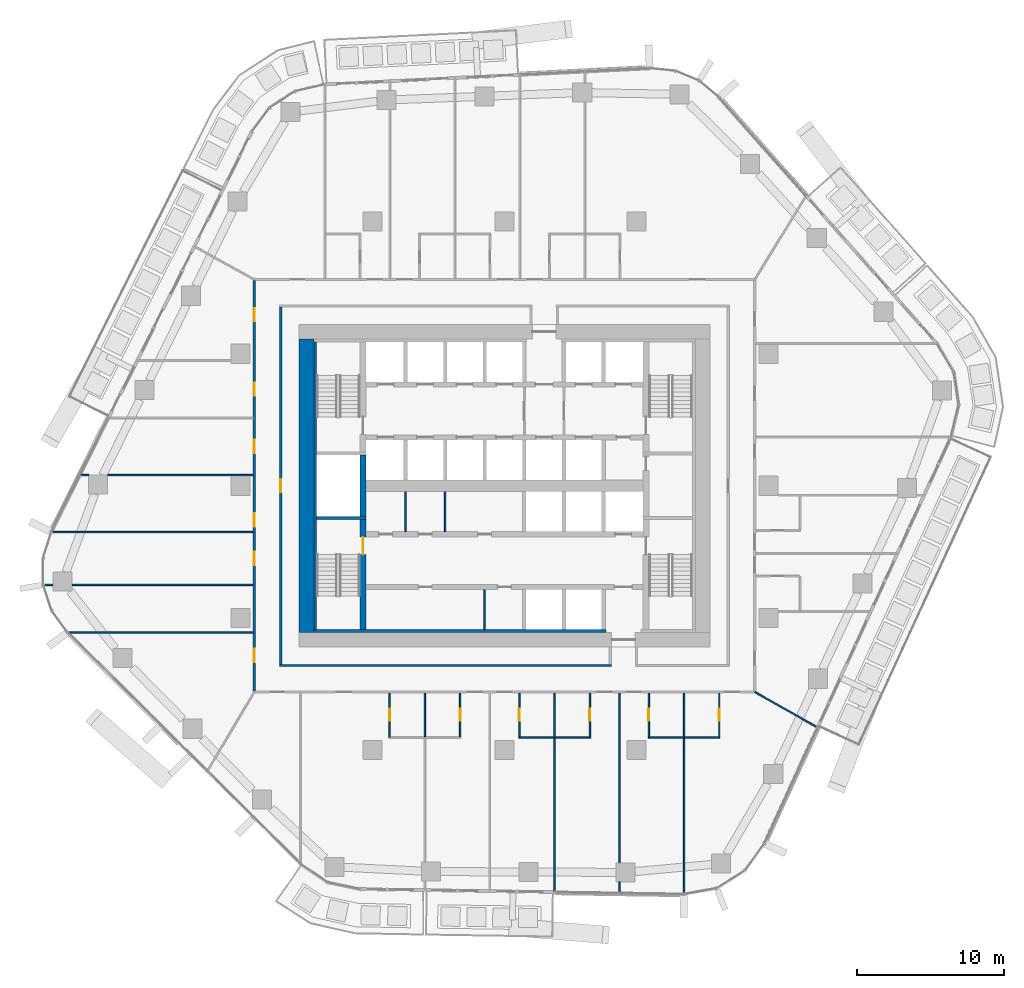
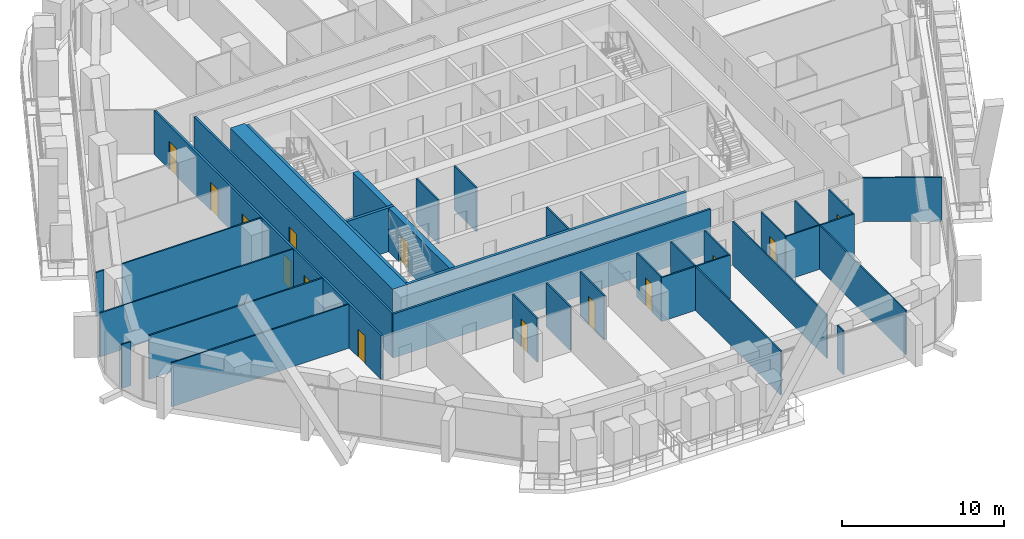
# One storey, part 12 of 25: 34 walls, 14 doors, 14 openings.
"""IFC4 building model written with IfcOpenShell, lengths in metres."""

import ifcopenshell
import ifcopenshell.guid

model = None  # the IFC model being written
_history = None  # IfcOwnerHistory: only IFC2X3 demands one
_inside = {}  # id of a spatial element -> (the spatial element, [elements in it])
_under = {}  # id of a project, library or spatial element -> (it, [spatial elements below it])
_declared = {}  # id of a project -> (the project, [libraries it declares])
_typed = {}  # id of a type object -> (the type object, [elements of that type])
_made_of = {}  # id of a material, layer set ... -> (it, [elements and type objects made of it])


def new_model(schema):
    """Start an empty IFC model of exactly this schema.

    Asked for "IFC4X3", IfcOpenShell would pick the latest addendum, in which some entities
    have other attributes; the version numbers below select the first issue.
    IFC2X3 requires an IfcOwnerHistory on every rooted entity: one is made here for all.
    """
    global model, _history
    if schema == "IFC4X3":
        model = ifcopenshell.file(schema_version=(4, 3, 0, 0))
    else:
        model = ifcopenshell.file(schema=schema)
    _inside.clear()
    _under.clear()
    _declared.clear()
    _typed.clear()
    _made_of.clear()
    _history = None
    if model.schema == "IFC2X3":
        org = make("IfcOrganization", Name="unknown")
        user = make(
            "IfcPersonAndOrganization",
            ThePerson=make("IfcPerson", FamilyName="unknown"),
            TheOrganization=org,
        )
        app = make(
            "IfcApplication",
            ApplicationDeveloper=org,
            Version="unknown",
            ApplicationFullName="unknown",
            ApplicationIdentifier="unknown",
        )
        _history = make(
            "IfcOwnerHistory",
            OwningUser=user,
            OwningApplication=app,
            ChangeAction="ADDED",
            CreationDate=0,
        )
    return model


def make(cls, **values):
    """One entity of the class cls with the attributes given. An attribute that is None is left unset."""
    return model.create_entity(
        cls, **{name: value for name, value in values.items() if value is not None}
    )


def rooted(cls, **values):
    """An entity with a GlobalId (a new one), such as an element, a storey or a relation."""
    return make(cls, GlobalId=ifcopenshell.guid.new(), OwnerHistory=_history, **values)


def si_unit(unit_type, name, prefix=None):
    """IfcSIUnit, for example si_unit("LENGTHUNIT", "METRE", prefix="MILLI")."""
    return make("IfcSIUnit", UnitType=unit_type, Prefix=prefix, Name=name)


def assignment(units):
    """IfcUnitAssignment: the units of a project."""
    return None if units is None else make("IfcUnitAssignment", Units=units)


def point(xyz):
    """IfcCartesianPoint."""
    return None if xyz is None else make("IfcCartesianPoint", Coordinates=xyz)


def direction(xyz):
    """IfcDirection."""
    return None if xyz is None else make("IfcDirection", DirectionRatios=xyz)


def frame(location, z_axis=None, x_axis=None):
    """IfcAxis2Placement3D, a coordinate frame: its origin and axes. An axis left out is left unset."""
    return make(
        "IfcAxis2Placement3D",
        Location=point(location),
        Axis=direction(z_axis),
        RefDirection=direction(x_axis),
    )


def frame_2d(location, x_axis=None):
    """IfcAxis2Placement2D, a coordinate frame in the plane: its origin and x axis."""
    return make(
        "IfcAxis2Placement2D", Location=point(location), RefDirection=direction(x_axis)
    )


def origin():
    """The frame at (0, 0, 0) with its axes left unset."""
    return frame((0.0, 0.0, 0.0))


def place(relative_to, where):
    """IfcLocalPlacement: puts the frame where relative to a parent placement (None: the world)."""
    return make(
        "IfcLocalPlacement", PlacementRelTo=relative_to, RelativePlacement=where
    )


def context(
    kind, dimensions, precision=None, world=None, true_north=None, identifier=None
):
    """IfcGeometricRepresentationContext, for example the 3D "Model" context."""
    return make(
        "IfcGeometricRepresentationContext",
        ContextIdentifier=identifier,
        ContextType=kind,
        CoordinateSpaceDimension=dimensions,
        Precision=precision,
        WorldCoordinateSystem=world,
        TrueNorth=true_north,
    )


def subcontext(parent, identifier, kind, view, scale=None):
    """IfcGeometricRepresentationSubContext, for example "Body" below "Model"."""
    return make(
        "IfcGeometricRepresentationSubContext",
        ContextIdentifier=identifier,
        ContextType=kind,
        ParentContext=parent,
        TargetScale=scale,
        TargetView=view,
    )


def project(units=None, contexts=None):
    """IfcProject with its units and contexts."""
    return rooted(
        "IfcProject",
        Name="project",
        RepresentationContexts=contexts,
        UnitsInContext=assignment(units),
    )


def spatial(cls, under=None, at=None, **own):
    """A site, building, storey or space (cls), placed at a placement, below another one or the project."""
    s = rooted(cls, ObjectPlacement=at, **own)
    if under is not None:
        _under.setdefault(under.id(), (under, []))[1].append(s)
    return s


def profile(cls, at=None, kind="AREA", **sizes):
    """A parametric profile (cls). Its sizes go by their IFC names, for example OverallWidth=200.0."""
    return make(cls, ProfileType=kind, Position=at, **sizes)


def rectangle(**sizes):
    """IfcRectangleProfileDef."""
    return profile("IfcRectangleProfileDef", **sizes)


def extrude(swept, where, along, depth):
    """IfcExtrudedAreaSolid: the profile swept, set in the frame where, extruded along a direction by depth."""
    return make(
        "IfcExtrudedAreaSolid",
        SweptArea=swept,
        Position=where,
        ExtrudedDirection=direction(along),
        Depth=depth,
    )


def shape(context_of_items, identifier, shape_type, items):
    """IfcShapeRepresentation: the items that make up one representation, for example the "Body"."""
    return make(
        "IfcShapeRepresentation",
        ContextOfItems=context_of_items,
        RepresentationIdentifier=identifier,
        RepresentationType=shape_type,
        Items=items,
    )


def material(Name=None, Category=None):
    """IfcMaterial."""
    return make("IfcMaterial", Name=Name, Category=Category)


def layer(
    of_material, thickness, ventilated=None, Name=None, Category=None, Priority=None
):
    """IfcMaterialLayer: one layer of a wall or slab, of a material (None: an air gap)."""
    return make(
        "IfcMaterialLayer",
        Material=of_material,
        LayerThickness=thickness,
        IsVentilated=ventilated,
        Name=Name,
        Category=Category,
        Priority=Priority,
    )


def layer_set(layers, Name=None):
    """IfcMaterialLayerSet."""
    return make("IfcMaterialLayerSet", MaterialLayers=layers, LayerSetName=Name)


def made_of(thing, what):
    """Note that an element or type object is made of a material, layer set ...; save() writes the relation."""
    if what is not None:
        _made_of.setdefault(what.id(), (what, []))[1].append(thing)
    return thing


def type_object(cls, material=None, **own):
    """A type object (cls), such as IfcWallType, which elements share."""
    return made_of(rooted(cls, **own), material)


def element(
    cls,
    number,
    at=None,
    inside=None,
    cuts=None,
    type_object=None,
    material=None,
    context=None,
    identifier="Body",
    shape_type=None,
    held_by="IfcProductDefinitionShape",
    body=None,
    shapes=None,
    **own,
):
    """One element of the class cls, such as IfcWall. Its Tag is "e" and its number.

    at: its placement. inside: the storey or other place that contains it. cuts: it is an
    opening in that element (IfcRelVoidsElement). A single representation is given by context,
    identifier, shape_type and body (its items); several are given by shapes. held_by: the class
    of the entity that holds the representations. save() writes the other relations.
    """
    e = rooted(cls, Tag="e%d" % number, ObjectPlacement=at, **own)
    if body is not None:
        shapes = [shape(context, identifier, shape_type, body)]
    if shapes is not None:
        e.Representation = make(held_by, Representations=shapes)
    if inside is not None:
        _inside.setdefault(inside.id(), (inside, []))[1].append(e)
    if cuts is not None:
        rooted(
            "IfcRelVoidsElement", RelatingBuildingElement=cuts, RelatedOpeningElement=e
        )
    if type_object is not None:
        _typed.setdefault(type_object.id(), (type_object, []))[1].append(e)
    return made_of(e, material)


def fill(opening, filler):
    """IfcRelFillsElement: the door or window that sits in an opening."""
    return rooted(
        "IfcRelFillsElement",
        RelatingOpeningElement=opening,
        RelatedBuildingElement=filler,
    )


def aggregate(whole, parts):
    """IfcRelAggregates: a whole, such as a stair, and the parts it consists of."""
    return rooted("IfcRelAggregates", RelatingObject=whole, RelatedObjects=parts)


def save(model, path):
    """Write the relations noted so far, then the file.

    IfcRelAggregates (storeys below a building ...), IfcRelContainedInSpatialStructure (elements
    in a storey), IfcRelDefinesByType, IfcRelAssociatesMaterial and IfcRelDeclares: one each for
    every whole, place, type object, material and project.
    """
    for whole, parts in _under.values():
        aggregate(whole, parts)
    for where, things in _inside.values():
        rooted(
            "IfcRelContainedInSpatialStructure",
            RelatedElements=things,
            RelatingStructure=where,
        )
    for kind, things in _typed.values():
        rooted("IfcRelDefinesByType", RelatedObjects=things, RelatingType=kind)
    for what, things in _made_of.values():
        rooted("IfcRelAssociatesMaterial", RelatedObjects=things, RelatingMaterial=what)
    for by, libraries in _declared.values():
        rooted("IfcRelDeclares", RelatingContext=by, RelatedDefinitions=libraries)
    model.write(path)


model = new_model("IFC4")

# Units and contexts
model_context = context("Model", 3, precision=1e-05, world=origin(), true_north=direction((0.0, 1.0)))
body_context = subcontext(model_context, "Body", "Model", "MODEL_VIEW")
ifc_project = project(units=[si_unit("LENGTHUNIT", "METRE"), si_unit("AREAUNIT", "SQUARE_METRE"), si_unit("VOLUMEUNIT", "CUBIC_METRE"), si_unit("PLANEANGLEUNIT", "RADIAN"), si_unit("MASSUNIT", "GRAM", prefix="KILO")], contexts=[model_context])

# Site, building, storey
site_placement = place(None, origin())
site = spatial("IfcSite", under=ifc_project, at=site_placement, CompositionType="ELEMENT")
building_placement = place(site_placement, origin())
building = spatial("IfcBuilding", under=site, at=building_placement, Name="Dongbaek Canopy Tower", CompositionType="ELEMENT")
storey_placement = place(building_placement, frame((0.0, 0.0, 102.60009765625)))
storey = spatial("IfcBuildingStorey", under=building, at=storey_placement, Name="L21", CompositionType="ELEMENT", Elevation=102.60009765625)

# Walls
ifc_material_1 = material(Name="Concrete C60/75", Category="concrete")
ifc_layer_1 = layer(ifc_material_1, 1.0)
ifc_layer_set_1 = layer_set([ifc_layer_1], Name="Core outer wall 1000 Concrete C60/75")
wall_type_1 = type_object("IfcWallType", Name="Core outer wall 1000 Concrete C60/75", PredefinedType="SHEAR", material=ifc_layer_set_1)
wall_1_placement = place(storey_placement, frame((-13.5, -10.0, 0.0), z_axis=(0.0, 0.0, 1.0), x_axis=(0.0, 1.0, 0.0)))
element("IfcWall", 1, at=wall_1_placement, inside=storey, type_object=wall_type_1, Name="Core wall", PredefinedType="SHEAR", context=body_context, shape_type="SweptSolid", body=[
    extrude(rectangle(XDim=20.0, YDim=1.0, at=frame_2d((10.0, 0.0))), origin(), (0.0, 0.0, 1.0), 3.2998046875),
])
ifc_material_2 = material(Name="Concrete C60/75", Category="concrete")
ifc_layer_2 = layer(ifc_material_2, 0.199951171875)
ifc_layer_set_2 = layer_set([ifc_layer_2], Name="Core wall lining 200 Concrete C60/75")
wall_type_2 = type_object("IfcWallType", Name="Core wall lining 200 Concrete C60/75", PredefinedType="SHEAR", material=ifc_layer_set_2)
wall_2_placement = place(storey_placement, frame((6.89990234375, -9.89990234375, 0.0), z_axis=(0.0, 0.0, 1.0), x_axis=(-1.0, 0.0, 0.0)))
element("IfcWall", 2, at=wall_2_placement, inside=storey, type_object=wall_type_2, Name="Core wall lining", PredefinedType="SHEAR", context=body_context, shape_type="SweptSolid", body=[
    extrude(rectangle(XDim=19.89990234375, YDim=0.199951171875, at=frame_2d((9.949951171875, 0.0))), origin(), (0.0, 0.0, 1.0), 3.2998046875),
])
wall_3_placement = place(storey_placement, frame((-12.89990234375, -9.800048828125, 0.0), z_axis=(0.0, 0.0, 1.0), x_axis=(0.0, 1.0, 0.0)))
element("IfcWall", 3, at=wall_3_placement, inside=storey, type_object=wall_type_2, Name="Core wall lining", PredefinedType="SHEAR", context=body_context, shape_type="SweptSolid", body=[
    extrude(rectangle(XDim=19.60009765625, YDim=0.199951171875, at=frame_2d((9.800048828125, 0.0))), origin(), (0.0, 0.0, 1.0), 3.2998046875),
])
ifc_material_3 = material(Name="Gypsum board partition, steel stud, 2 x 15 mm fire board", Category="steel")
ifc_layer_3 = layer(ifc_material_3, 0.14990234375)
ifc_layer_set_3 = layer_set([ifc_layer_3], Name="Fire-rated partition 150 gypsum board")
wall_type_3 = type_object("IfcWallType", Name="Fire-rated partition 150 gypsum board", PredefinedType="PARTITIONING", material=ifc_layer_set_3)
wall_4_placement = place(storey_placement, frame((-15.324951171875, -12.25, 0.0), z_axis=(0.0, 0.0, 1.0), x_axis=(1.0, 0.0, 0.0)))
element("IfcWall", 4, at=wall_4_placement, inside=storey, type_object=wall_type_3, Name="Corridor partition", PredefinedType="PARTITIONING", context=body_context, shape_type="SweptSolid", body=[
    extrude(rectangle(XDim=22.599853515625, YDim=0.14990234375, at=frame_2d((11.2998046875, 0.0))), origin(), (0.0, 0.0, 1.0), 3.2998046875),
])

# Wall, opening, door
wall_5_placement = place(storey_placement, frame((-15.25, 12.175048828125, 0.0), z_axis=(0.0, 0.0, 1.0), x_axis=(0.0, -1.0, 0.0)))
wall_5 = element("IfcWall", 5, at=wall_5_placement, inside=storey, type_object=wall_type_3, Name="Corridor partition", PredefinedType="PARTITIONING", context=body_context, shape_type="SweptSolid", body=[
    extrude(rectangle(XDim=24.35009765625, YDim=0.14990234375, at=frame_2d((12.175048828125, 0.0))), origin(), (0.0, 0.0, 1.0), 3.2998046875),
])
opening_1_placement = place(wall_5_placement, frame((11.72509765625, 0.0, 0.0)))
opening_1 = element("IfcOpeningElement", 6, at=opening_1_placement, cuts=wall_5, Name="Opening L21-D039", PredefinedType="OPENING", context=body_context, shape_type="SweptSolid", body=[
    extrude(rectangle(XDim=0.89990234375, YDim=2.10009765625, at=frame_2d((0.449951171875, 1.050048828125))), frame((0.0, 0.0849609375, 0.0), z_axis=(0.0, -1.0, 0.0), x_axis=(1.0, 0.0, 0.0)), (0.0, 0.0, 1.0), 0.169921875),
])
ifc_material_4 = material(Name="Timber veneered door leaf", Category="wood")
door_type_1 = type_object("IfcDoorType", Name="Room door 900 x 2100", OperationType="SINGLE_SWING_LEFT", PredefinedType="DOOR", material=ifc_material_4)
door_1_placement = place(opening_1_placement, origin())
door_1 = element("IfcDoor", 7, at=door_1_placement, inside=storey, type_object=door_type_1, Name="Door L21-D039", OperationType="SINGLE_SWING_RIGHT", OverallHeight=2.10009765625, OverallWidth=0.89990234375, PredefinedType="DOOR", context=body_context, shape_type="SweptSolid", body=[
    extrude(rectangle(XDim=0.89990234375, YDim=2.10009765625, at=frame_2d((0.449951171875, 1.050048828125))), frame((0.0, 0.02490234375, 0.0), z_axis=(0.0, -1.0, 0.0), x_axis=(1.0, 0.0, 0.0)), (0.0, 0.0, 1.0), 0.050048828125),
])
fill(opening_1, door_1)

# Wall, openings, doors
wall_6_placement = place(storey_placement, frame((-17.050048828125, -13.97509765625, 0.0), z_axis=(0.0, 0.0, 1.0), x_axis=(0.0, 1.0, 0.0)))
wall_6 = element("IfcWall", 8, at=wall_6_placement, inside=storey, type_object=wall_type_3, Name="Corridor partition", PredefinedType="PARTITIONING", context=body_context, shape_type="SweptSolid", body=[
    extrude(rectangle(XDim=27.9501953125, YDim=0.14990234375, at=frame_2d((13.97509765625, 0.0))), origin(), (0.0, 0.0, 1.0), 3.2998046875),
])
opening_2_placement = place(wall_6_placement, frame((11.194580078125, 0.0, 0.0)))
opening_2 = element("IfcOpeningElement", 9, at=opening_2_placement, cuts=wall_6, Name="Opening L21-D001", PredefinedType="OPENING", context=body_context, shape_type="SweptSolid", body=[
    extrude(rectangle(XDim=0.89990234375, YDim=2.10009765625, at=frame_2d((0.449951171875, 1.050048828125))), frame((0.0, 0.0849609375, 0.0), z_axis=(0.0, -1.0, 0.0), x_axis=(1.0, 0.0, 0.0)), (0.0, 0.0, 1.0), 0.169921875),
])
opening_3_placement = place(wall_6_placement, frame((8.56982421875, 0.0, 0.0)))
opening_3 = element("IfcOpeningElement", 10, at=opening_3_placement, cuts=wall_6, Name="Opening L21-D002", PredefinedType="OPENING", context=body_context, shape_type="SweptSolid", body=[
    extrude(rectangle(XDim=0.89990234375, YDim=2.10009765625, at=frame_2d((0.449951171875, 1.050048828125))), frame((0.0, 0.0849609375, 0.0), z_axis=(0.0, -1.0, 0.0), x_axis=(1.0, 0.0, 0.0)), (0.0, 0.0, 1.0), 0.169921875),
])
opening_4_placement = place(wall_6_placement, frame((1.9560546875, 0.0, 0.0)))
opening_4 = element("IfcOpeningElement", 11, at=opening_4_placement, cuts=wall_6, Name="Opening L21-D003", PredefinedType="OPENING", context=body_context, shape_type="SweptSolid", body=[
    extrude(rectangle(XDim=0.89990234375, YDim=2.10009765625, at=frame_2d((0.449951171875, 1.050048828125))), frame((0.0, 0.0849609375, 0.0), z_axis=(0.0, -1.0, 0.0), x_axis=(1.0, 0.0, 0.0)), (0.0, 0.0, 1.0), 0.169921875),
])
opening_5_placement = place(wall_6_placement, frame((25.180908203125, 0.0, 0.0)))
opening_5 = element("IfcOpeningElement", 12, at=opening_5_placement, cuts=wall_6, Name="Opening L21-D036", PredefinedType="OPENING", context=body_context, shape_type="SweptSolid", body=[
    extrude(rectangle(XDim=0.89990234375, YDim=2.10009765625, at=frame_2d((0.449951171875, 1.050048828125))), frame((0.0, 0.0849609375, 0.0), z_axis=(0.0, -1.0, 0.0), x_axis=(1.0, 0.0, 0.0)), (0.0, 0.0, 1.0), 0.169921875),
])
opening_6_placement = place(wall_6_placement, frame((20.100830078125, 0.0, 0.0)))
opening_6 = element("IfcOpeningElement", 13, at=opening_6_placement, cuts=wall_6, Name="Opening L21-D037", PredefinedType="OPENING", context=body_context, shape_type="SweptSolid", body=[
    extrude(rectangle(XDim=0.89990234375, YDim=2.10009765625, at=frame_2d((0.449951171875, 1.050048828125))), frame((0.0, 0.0849609375, 0.0), z_axis=(0.0, -1.0, 0.0), x_axis=(1.0, 0.0, 0.0)), (0.0, 0.0, 1.0), 0.169921875),
])
opening_7_placement = place(wall_6_placement, frame((16.205810546875, 0.0, 0.0)))
opening_7 = element("IfcOpeningElement", 14, at=opening_7_placement, cuts=wall_6, Name="Opening L21-D038", PredefinedType="OPENING", context=body_context, shape_type="SweptSolid", body=[
    extrude(rectangle(XDim=0.89990234375, YDim=2.10009765625, at=frame_2d((0.449951171875, 1.050048828125))), frame((0.0, 0.0849609375, 0.0), z_axis=(0.0, -1.0, 0.0), x_axis=(1.0, 0.0, 0.0)), (0.0, 0.0, 1.0), 0.169921875),
])
door_2_placement = place(opening_2_placement, origin())
door_2 = element("IfcDoor", 15, at=door_2_placement, inside=storey, type_object=door_type_1, Name="Door L21-D001", OperationType="SINGLE_SWING_RIGHT", OverallHeight=2.10009765625, OverallWidth=0.89990234375, PredefinedType="DOOR", context=body_context, shape_type="SweptSolid", body=[
    extrude(rectangle(XDim=0.89990234375, YDim=2.10009765625, at=frame_2d((0.449951171875, 1.050048828125))), frame((0.0, 0.02490234375, 0.0), z_axis=(0.0, -1.0, 0.0), x_axis=(1.0, 0.0, 0.0)), (0.0, 0.0, 1.0), 0.050048828125),
])
fill(opening_2, door_2)
door_3_placement = place(opening_3_placement, origin())
door_3 = element("IfcDoor", 16, at=door_3_placement, inside=storey, type_object=door_type_1, Name="Door L21-D002", OperationType="SINGLE_SWING_LEFT", OverallHeight=2.10009765625, OverallWidth=0.89990234375, PredefinedType="DOOR", context=body_context, shape_type="SweptSolid", body=[
    extrude(rectangle(XDim=0.89990234375, YDim=2.10009765625, at=frame_2d((0.449951171875, 1.050048828125))), frame((0.0, 0.02490234375, 0.0), z_axis=(0.0, -1.0, 0.0), x_axis=(1.0, 0.0, 0.0)), (0.0, 0.0, 1.0), 0.050048828125),
])
fill(opening_3, door_3)
door_4_placement = place(opening_4_placement, origin())
door_4 = element("IfcDoor", 17, at=door_4_placement, inside=storey, type_object=door_type_1, Name="Door L21-D003", OperationType="SINGLE_SWING_LEFT", OverallHeight=2.10009765625, OverallWidth=0.89990234375, PredefinedType="DOOR", context=body_context, shape_type="SweptSolid", body=[
    extrude(rectangle(XDim=0.89990234375, YDim=2.10009765625, at=frame_2d((0.449951171875, 1.050048828125))), frame((0.0, 0.02490234375, 0.0), z_axis=(0.0, -1.0, 0.0), x_axis=(1.0, 0.0, 0.0)), (0.0, 0.0, 1.0), 0.050048828125),
])
fill(opening_4, door_4)
door_5_placement = place(opening_5_placement, origin())
door_5 = element("IfcDoor", 18, at=door_5_placement, inside=storey, type_object=door_type_1, Name="Door L21-D036", OperationType="SINGLE_SWING_LEFT", OverallHeight=2.10009765625, OverallWidth=0.89990234375, PredefinedType="DOOR", context=body_context, shape_type="SweptSolid", body=[
    extrude(rectangle(XDim=0.89990234375, YDim=2.10009765625, at=frame_2d((0.449951171875, 1.050048828125))), frame((0.0, 0.02490234375, 0.0), z_axis=(0.0, -1.0, 0.0), x_axis=(1.0, 0.0, 0.0)), (0.0, 0.0, 1.0), 0.050048828125),
])
fill(opening_5, door_5)
door_6_placement = place(opening_6_placement, origin())
door_6 = element("IfcDoor", 19, at=door_6_placement, inside=storey, type_object=door_type_1, Name="Door L21-D037", OperationType="SINGLE_SWING_RIGHT", OverallHeight=2.10009765625, OverallWidth=0.89990234375, PredefinedType="DOOR", context=body_context, shape_type="SweptSolid", body=[
    extrude(rectangle(XDim=0.89990234375, YDim=2.10009765625, at=frame_2d((0.449951171875, 1.050048828125))), frame((0.0, 0.02490234375, 0.0), z_axis=(0.0, -1.0, 0.0), x_axis=(1.0, 0.0, 0.0)), (0.0, 0.0, 1.0), 0.050048828125),
])
fill(opening_6, door_6)
door_7_placement = place(opening_7_placement, origin())
door_7 = element("IfcDoor", 20, at=door_7_placement, inside=storey, type_object=door_type_1, Name="Door L21-D038", OperationType="SINGLE_SWING_LEFT", OverallHeight=2.10009765625, OverallWidth=0.89990234375, PredefinedType="DOOR", context=body_context, shape_type="SweptSolid", body=[
    extrude(rectangle(XDim=0.89990234375, YDim=2.10009765625, at=frame_2d((0.449951171875, 1.050048828125))), frame((0.0, 0.02490234375, 0.0), z_axis=(0.0, -1.0, 0.0), x_axis=(1.0, 0.0, 0.0)), (0.0, 0.0, 1.0), 0.050048828125),
])
fill(opening_7, door_7)

# Walls
ifc_material_5 = material(Name="Gypsum board partition, steel stud, 2 x 12.5 mm board", Category="steel")
ifc_layer_4 = layer(ifc_material_5, 0.10009765625)
ifc_layer_set_4 = layer_set([ifc_layer_4], Name="Partition 100 gypsum board")
wall_type_4 = type_object("IfcWallType", Name="Partition 100 gypsum board", PredefinedType="PARTITIONING", material=ifc_layer_set_4)
for number, where, z_axis, x_axis, name in (
    (21, (0.9599609375, -17.14990234375, 0.0), (0.0, 0.0, 1.0), (1.0, 0.0, 0.0), "Partition"),
    (22, (9.783935546875, -17.14990234375, 0.0), (0.0, 0.0, 1.0), (1.0, 0.0, 0.0), "Partition"),
):
    element("IfcWall", number, at=place(storey_placement, frame(where, z_axis=z_axis, x_axis=x_axis)), inside=storey, type_object=wall_type_4, Name=name, PredefinedType="PARTITIONING", context=body_context, shape_type="SweptSolid", body=[
        extrude(rectangle(XDim=4.89990234375, YDim=0.10009765625, at=frame_2d((2.449951171875, 0.0))), origin(), (0.0, 0.0, 1.0), 3.2998046875),
    ])
wall_7_placement = place(storey_placement, frame((-29.74169921875, -9.993896484375, 0.0), z_axis=(0.0, 0.0, 1.0), x_axis=(1.0, 0.0, 0.0)))
element("IfcWall", 23, at=wall_7_placement, inside=storey, type_object=wall_type_4, Name="Partition", PredefinedType="PARTITIONING", context=body_context, shape_type="SweptSolid", body=[
    extrude(rectangle(XDim=12.61669921875, YDim=0.10009765625, at=frame_2d((6.308349609375, 0.0))), origin(), (0.0, 0.0, 1.0), 3.2998046875),
])
wall_8_placement = place(storey_placement, frame((-31.416259765625, -6.7548828125, 0.0), z_axis=(0.0, 0.0, 1.0), x_axis=(1.0, 0.0, 0.0)))
element("IfcWall", 24, at=wall_8_placement, inside=storey, type_object=wall_type_4, Name="Partition", PredefinedType="PARTITIONING", context=body_context, shape_type="SweptSolid", body=[
    extrude(rectangle(XDim=0.641357421875, YDim=0.10009765625, at=frame_2d((0.32080078125, 0.0))), origin(), (0.0, 0.0, 1.0), 3.2998046875),
])
wall_9_placement = place(storey_placement, frame((-29.47509765625, -6.7548828125, 0.0), z_axis=(0.0, 0.0, 1.0), x_axis=(1.0, 0.0, 0.0)))
element("IfcWall", 25, at=wall_9_placement, inside=storey, type_object=wall_type_4, Name="Partition", PredefinedType="PARTITIONING", context=body_context, shape_type="SweptSolid", body=[
    extrude(rectangle(XDim=12.35009765625, YDim=0.10009765625, at=frame_2d((6.175048828125, 0.0))), origin(), (0.0, 0.0, 1.0), 3.2998046875),
])
wall_10_placement = place(storey_placement, frame((-30.86474609375, -3.155029296875, 0.0), z_axis=(0.0, 0.0, 1.0), x_axis=(1.0, 0.0, 0.0)))
element("IfcWall", 26, at=wall_10_placement, inside=storey, type_object=wall_type_4, Name="Partition", PredefinedType="PARTITIONING", context=body_context, shape_type="SweptSolid", body=[
    extrude(rectangle(XDim=13.73974609375, YDim=0.10009765625, at=frame_2d((6.869873046875, 0.0))), origin(), (0.0, 0.0, 1.0), 3.2998046875),
])
wall_11_placement = place(storey_placement, frame((-28.91650390625, 0.73291015625, 0.0), z_axis=(0.0, 0.0, 1.0), x_axis=(1.0, 0.0, 0.0)))
element("IfcWall", 27, at=wall_11_placement, inside=storey, type_object=wall_type_4, Name="Partition", PredefinedType="PARTITIONING", context=body_context, shape_type="SweptSolid", body=[
    extrude(rectangle(XDim=0.573486328125, YDim=0.10009765625, at=frame_2d((0.28662109375, 0.0))), origin(), (0.0, 0.0, 1.0), 3.2998046875),
])
wall_12_placement = place(storey_placement, frame((-27.04296875, 0.73291015625, 0.0), z_axis=(0.0, 0.0, 1.0), x_axis=(1.0, 0.0, 0.0)))
element("IfcWall", 28, at=wall_12_placement, inside=storey, type_object=wall_type_4, Name="Partition", PredefinedType="PARTITIONING", context=body_context, shape_type="SweptSolid", body=[
    extrude(rectangle(XDim=9.91796875, YDim=0.10009765625, at=frame_2d((4.958984375, 0.0))), origin(), (0.0, 0.0, 1.0), 3.2998046875),
])

# Wall, opening, door
wall_13_placement = place(storey_placement, frame((14.634033203125, -17.14990234375, 0.0), z_axis=(0.0, 0.0, 1.0), x_axis=(0.0, 1.0, 0.0)))
wall_13 = element("IfcWall", 29, at=wall_13_placement, inside=storey, type_object=wall_type_4, Name="Partition", PredefinedType="PARTITIONING", context=body_context, shape_type="SweptSolid", body=[
    extrude(rectangle(XDim=3.02490234375, YDim=0.10009765625, at=frame_2d((1.512451171875, 0.0))), origin(), (0.0, 0.0, 1.0), 3.2998046875),
])
opening_8_placement = place(wall_13_placement, frame((1.14990234375, 0.0, 0.0)))
opening_8 = element("IfcOpeningElement", 30, at=opening_8_placement, cuts=wall_13, Name="Opening L21-D015", PredefinedType="OPENING", context=body_context, shape_type="SweptSolid", body=[
    extrude(rectangle(XDim=0.800048828125, YDim=2.10009765625, at=frame_2d((0.39990234375, 1.050048828125))), frame((0.0, 0.06005859375, 0.0), z_axis=(0.0, -1.0, 0.0), x_axis=(1.0, 0.0, 0.0)), (0.0, 0.0, 1.0), 0.1201171875),
])
ifc_material_6 = material(Name="Timber veneered door leaf", Category="wood")
door_type_2 = type_object("IfcDoorType", Name="En-suite door 800 x 2100", OperationType="SINGLE_SWING_LEFT", PredefinedType="DOOR", material=ifc_material_6)
door_8_placement = place(opening_8_placement, origin())
door_8 = element("IfcDoor", 31, at=door_8_placement, inside=storey, type_object=door_type_2, Name="Door L21-D015", OperationType="SINGLE_SWING_LEFT", OverallHeight=2.10009765625, OverallWidth=0.800048828125, PredefinedType="DOOR", context=body_context, shape_type="SweptSolid", body=[
    extrude(rectangle(XDim=0.800048828125, YDim=2.10009765625, at=frame_2d((0.39990234375, 1.050048828125))), frame((0.0, 0.02490234375, 0.0), z_axis=(0.0, -1.0, 0.0), x_axis=(1.0, 0.0, 0.0)), (0.0, 0.0, 1.0), 0.050048828125),
])
fill(opening_8, door_8)

# Walls
wall_14_placement = place(storey_placement, frame((12.23388671875, -27.80078125, 0.0), z_axis=(0.0, 0.0, 1.0), x_axis=(0.0, 1.0, 0.0)))
element("IfcWall", 32, at=wall_14_placement, inside=storey, type_object=wall_type_4, Name="Partition", PredefinedType="PARTITIONING", context=body_context, shape_type="SweptSolid", body=[
    extrude(rectangle(XDim=10.600830078125, YDim=0.10009765625, at=frame_2d((5.30029296875, 0.0))), origin(), (0.0, 0.0, 1.0), 3.2998046875),
])
wall_15_placement = place(storey_placement, frame((12.23388671875, -17.10009765625, 0.0), z_axis=(0.0, 0.0, 1.0), x_axis=(0.0, 1.0, 0.0)))
element("IfcWall", 33, at=wall_15_placement, inside=storey, type_object=wall_type_4, Name="Partition", PredefinedType="PARTITIONING", context=body_context, shape_type="SweptSolid", body=[
    extrude(rectangle(XDim=2.97509765625, YDim=0.10009765625, at=frame_2d((1.487548828125, 0.0))), origin(), (0.0, 0.0, 1.0), 3.2998046875),
])

# Wall, opening, door
wall_16_placement = place(storey_placement, frame((9.833984375, -14.125, 0.0), z_axis=(0.0, 0.0, 1.0), x_axis=(0.0, -1.0, 0.0)))
wall_16 = element("IfcWall", 34, at=wall_16_placement, inside=storey, type_object=wall_type_4, Name="Partition", PredefinedType="PARTITIONING", context=body_context, shape_type="SweptSolid", body=[
    extrude(rectangle(XDim=2.97509765625, YDim=0.10009765625, at=frame_2d((1.487548828125, 0.0))), origin(), (0.0, 0.0, 1.0), 3.2998046875),
])
opening_9_placement = place(wall_16_placement, frame((1.074951171875, 0.0, 0.0)))
opening_9 = element("IfcOpeningElement", 35, at=opening_9_placement, cuts=wall_16, Name="Opening L21-D013", PredefinedType="OPENING", context=body_context, shape_type="SweptSolid", body=[
    extrude(rectangle(XDim=0.800048828125, YDim=2.10009765625, at=frame_2d((0.39990234375, 1.050048828125))), frame((0.0, 0.06005859375, 0.0), z_axis=(0.0, -1.0, 0.0), x_axis=(1.0, 0.0, 0.0)), (0.0, 0.0, 1.0), 0.1201171875),
])
door_9_placement = place(opening_9_placement, origin())
door_9 = element("IfcDoor", 36, at=door_9_placement, inside=storey, type_object=door_type_2, Name="Door L21-D013", OperationType="SINGLE_SWING_RIGHT", OverallHeight=2.10009765625, OverallWidth=0.800048828125, PredefinedType="DOOR", context=body_context, shape_type="SweptSolid", body=[
    extrude(rectangle(XDim=0.800048828125, YDim=2.10009765625, at=frame_2d((0.39990234375, 1.050048828125))), frame((0.0, 0.02490234375, 0.0), z_axis=(0.0, -1.0, 0.0), x_axis=(1.0, 0.0, 0.0)), (0.0, 0.0, 1.0), 0.050048828125),
])
fill(opening_9, door_9)

# Walls
wall_17_placement = place(storey_placement, frame((7.826904296875, -27.733154296875, 0.0), z_axis=(0.0, 0.0, 1.0), x_axis=(0.0, 1.0, 0.0)))
element("IfcWall", 37, at=wall_17_placement, inside=storey, type_object=wall_type_4, Name="Partition", PredefinedType="PARTITIONING", context=body_context, shape_type="SweptSolid", body=[
    extrude(rectangle(XDim=0.734130859375, YDim=0.10009765625, at=frame_2d((0.3671875, 0.0))), origin(), (0.0, 0.0, 1.0), 3.2998046875),
])
wall_18_placement = place(storey_placement, frame((7.826904296875, -25.698974609375, 0.0), z_axis=(0.0, 0.0, 1.0), x_axis=(0.0, 1.0, 0.0)))
element("IfcWall", 38, at=wall_18_placement, inside=storey, type_object=wall_type_4, Name="Partition", PredefinedType="PARTITIONING", context=body_context, shape_type="SweptSolid", body=[
    extrude(rectangle(XDim=11.573974609375, YDim=0.10009765625, at=frame_2d((5.787109375, 0.0))), origin(), (0.0, 0.0, 1.0), 3.2998046875),
])

# Wall, opening, door
wall_19_placement = place(storey_placement, frame((5.81005859375, -17.14990234375, 0.0), z_axis=(0.0, 0.0, 1.0), x_axis=(0.0, 1.0, 0.0)))
wall_19 = element("IfcWall", 39, at=wall_19_placement, inside=storey, type_object=wall_type_4, Name="Partition", PredefinedType="PARTITIONING", context=body_context, shape_type="SweptSolid", body=[
    extrude(rectangle(XDim=3.02490234375, YDim=0.10009765625, at=frame_2d((1.512451171875, 0.0))), origin(), (0.0, 0.0, 1.0), 3.2998046875),
])
opening_10_placement = place(wall_19_placement, frame((1.14990234375, 0.0, 0.0)))
opening_10 = element("IfcOpeningElement", 40, at=opening_10_placement, cuts=wall_19, Name="Opening L21-D011", PredefinedType="OPENING", context=body_context, shape_type="SweptSolid", body=[
    extrude(rectangle(XDim=0.800048828125, YDim=2.10009765625, at=frame_2d((0.39990234375, 1.050048828125))), frame((0.0, 0.06005859375, 0.0), z_axis=(0.0, -1.0, 0.0), x_axis=(1.0, 0.0, 0.0)), (0.0, 0.0, 1.0), 0.1201171875),
])
door_10_placement = place(opening_10_placement, origin())
door_10 = element("IfcDoor", 41, at=door_10_placement, inside=storey, type_object=door_type_2, Name="Door L21-D011", OperationType="SINGLE_SWING_LEFT", OverallHeight=2.10009765625, OverallWidth=0.800048828125, PredefinedType="DOOR", context=body_context, shape_type="SweptSolid", body=[
    extrude(rectangle(XDim=0.800048828125, YDim=2.10009765625, at=frame_2d((0.39990234375, 1.050048828125))), frame((0.0, 0.02490234375, 0.0), z_axis=(0.0, -1.0, 0.0), x_axis=(1.0, 0.0, 0.0)), (0.0, 0.0, 1.0), 0.050048828125),
])
fill(opening_10, door_10)

# Walls
wall_20_placement = place(storey_placement, frame((3.409912109375, -27.6650390625, 0.0), z_axis=(0.0, 0.0, 1.0), x_axis=(0.0, 1.0, 0.0)))
element("IfcWall", 42, at=wall_20_placement, inside=storey, type_object=wall_type_4, Name="Partition", PredefinedType="PARTITIONING", context=body_context, shape_type="SweptSolid", body=[
    extrude(rectangle(XDim=10.465087890625, YDim=0.10009765625, at=frame_2d((5.232421875, 0.0))), origin(), (0.0, 0.0, 1.0), 3.2998046875),
])
wall_21_placement = place(storey_placement, frame((3.409912109375, -17.10009765625, 0.0), z_axis=(0.0, 0.0, 1.0), x_axis=(0.0, 1.0, 0.0)))
element("IfcWall", 43, at=wall_21_placement, inside=storey, type_object=wall_type_4, Name="Partition", PredefinedType="PARTITIONING", context=body_context, shape_type="SweptSolid", body=[
    extrude(rectangle(XDim=2.97509765625, YDim=0.10009765625, at=frame_2d((1.487548828125, 0.0))), origin(), (0.0, 0.0, 1.0), 3.2998046875),
])

# Wall, opening, door
wall_22_placement = place(storey_placement, frame((1.010009765625, -14.125, 0.0), z_axis=(0.0, 0.0, 1.0), x_axis=(0.0, -1.0, 0.0)))
wall_22 = element("IfcWall", 44, at=wall_22_placement, inside=storey, type_object=wall_type_4, Name="Partition", PredefinedType="PARTITIONING", context=body_context, shape_type="SweptSolid", body=[
    extrude(rectangle(XDim=2.97509765625, YDim=0.10009765625, at=frame_2d((1.487548828125, 0.0))), origin(), (0.0, 0.0, 1.0), 3.2998046875),
])
opening_11_placement = place(wall_22_placement, frame((1.074951171875, 0.0, 0.0)))
opening_11 = element("IfcOpeningElement", 45, at=opening_11_placement, cuts=wall_22, Name="Opening L21-D009", PredefinedType="OPENING", context=body_context, shape_type="SweptSolid", body=[
    extrude(rectangle(XDim=0.800048828125, YDim=2.10009765625, at=frame_2d((0.39990234375, 1.050048828125))), frame((0.0, 0.06005859375, 0.0), z_axis=(0.0, -1.0, 0.0), x_axis=(1.0, 0.0, 0.0)), (0.0, 0.0, 1.0), 0.1201171875),
])
door_11_placement = place(opening_11_placement, origin())
door_11 = element("IfcDoor", 46, at=door_11_placement, inside=storey, type_object=door_type_2, Name="Door L21-D009", OperationType="SINGLE_SWING_RIGHT", OverallHeight=2.10009765625, OverallWidth=0.800048828125, PredefinedType="DOOR", context=body_context, shape_type="SweptSolid", body=[
    extrude(rectangle(XDim=0.800048828125, YDim=2.10009765625, at=frame_2d((0.39990234375, 1.050048828125))), frame((0.0, 0.02490234375, 0.0), z_axis=(0.0, -1.0, 0.0), x_axis=(1.0, 0.0, 0.0)), (0.0, 0.0, 1.0), 0.050048828125),
])
fill(opening_11, door_11)

wall_23_placement = place(storey_placement, frame((-3.02392578125, -17.10009765625, 0.0), z_axis=(0.0, 0.0, 1.0), x_axis=(0.0, 1.0, 0.0)))
wall_23 = element("IfcWall", 47, at=wall_23_placement, inside=storey, type_object=wall_type_4, Name="Partition", PredefinedType="PARTITIONING", context=body_context, shape_type="SweptSolid", body=[
    extrude(rectangle(XDim=2.97509765625, YDim=0.10009765625, at=frame_2d((1.487548828125, 0.0))), origin(), (0.0, 0.0, 1.0), 3.2998046875),
])
opening_12_placement = place(wall_23_placement, frame((1.10009765625, 0.0, 0.0)))
opening_12 = element("IfcOpeningElement", 48, at=opening_12_placement, cuts=wall_23, Name="Opening L21-D007", PredefinedType="OPENING", context=body_context, shape_type="SweptSolid", body=[
    extrude(rectangle(XDim=0.800048828125, YDim=2.10009765625, at=frame_2d((0.39990234375, 1.050048828125))), frame((0.0, 0.06005859375, 0.0), z_axis=(0.0, -1.0, 0.0), x_axis=(1.0, 0.0, 0.0)), (0.0, 0.0, 1.0), 0.1201171875),
])
door_12_placement = place(opening_12_placement, origin())
door_12 = element("IfcDoor", 49, at=door_12_placement, inside=storey, type_object=door_type_2, Name="Door L21-D007", OperationType="SINGLE_SWING_LEFT", OverallHeight=2.10009765625, OverallWidth=0.800048828125, PredefinedType="DOOR", context=body_context, shape_type="SweptSolid", body=[
    extrude(rectangle(XDim=0.800048828125, YDim=2.10009765625, at=frame_2d((0.39990234375, 1.050048828125))), frame((0.0, 0.02490234375, 0.0), z_axis=(0.0, -1.0, 0.0), x_axis=(1.0, 0.0, 0.0)), (0.0, 0.0, 1.0), 0.050048828125),
])
fill(opening_12, door_12)

# Wall
wall_24_placement = place(storey_placement, frame((-5.424072265625, -17.10009765625, 0.0), z_axis=(0.0, 0.0, 1.0), x_axis=(0.0, 1.0, 0.0)))
element("IfcWall", 50, at=wall_24_placement, inside=storey, type_object=wall_type_4, Name="Partition", PredefinedType="PARTITIONING", context=body_context, shape_type="SweptSolid", body=[
    extrude(rectangle(XDim=2.97509765625, YDim=0.10009765625, at=frame_2d((1.487548828125, 0.0))), origin(), (0.0, 0.0, 1.0), 3.2998046875),
])

# Wall, opening, door
wall_25_placement = place(storey_placement, frame((-7.823974609375, -14.125, 0.0), z_axis=(0.0, 0.0, 1.0), x_axis=(0.0, -1.0, 0.0)))
wall_25 = element("IfcWall", 51, at=wall_25_placement, inside=storey, type_object=wall_type_4, Name="Partition", PredefinedType="PARTITIONING", context=body_context, shape_type="SweptSolid", body=[
    extrude(rectangle(XDim=3.02490234375, YDim=0.10009765625, at=frame_2d((1.512451171875, 0.0))), origin(), (0.0, 0.0, 1.0), 3.2998046875),
])
opening_13_placement = place(wall_25_placement, frame((1.074951171875, 0.0, 0.0)))
opening_13 = element("IfcOpeningElement", 52, at=opening_13_placement, cuts=wall_25, Name="Opening L21-D005", PredefinedType="OPENING", context=body_context, shape_type="SweptSolid", body=[
    extrude(rectangle(XDim=0.800048828125, YDim=2.10009765625, at=frame_2d((0.39990234375, 1.050048828125))), frame((0.0, 0.06005859375, 0.0), z_axis=(0.0, -1.0, 0.0), x_axis=(1.0, 0.0, 0.0)), (0.0, 0.0, 1.0), 0.1201171875),
])
door_13_placement = place(opening_13_placement, origin())
door_13 = element("IfcDoor", 53, at=door_13_placement, inside=storey, type_object=door_type_2, Name="Door L21-D005", OperationType="SINGLE_SWING_RIGHT", OverallHeight=2.10009765625, OverallWidth=0.800048828125, PredefinedType="DOOR", context=body_context, shape_type="SweptSolid", body=[
    extrude(rectangle(XDim=0.800048828125, YDim=2.10009765625, at=frame_2d((0.39990234375, 1.050048828125))), frame((0.0, 0.02490234375, 0.0), z_axis=(0.0, -1.0, 0.0), x_axis=(1.0, 0.0, 0.0)), (0.0, 0.0, 1.0), 0.050048828125),
])
fill(opening_13, door_13)

# Walls
wall_26_placement = place(storey_placement, frame((17.050048828125, -14.0498046875, 0.0), z_axis=(0.0, 0.0, 1.0), x_axis=(0.87059349, -0.492003023537, 0.0)))
element("IfcWall", 54, at=wall_26_placement, inside=storey, type_object=wall_type_4, Name="Partition", PredefinedType="PARTITIONING", context=body_context, shape_type="SweptSolid", body=[
    extrude(rectangle(XDim=4.895263671875, YDim=0.10009765625, at=frame_2d((2.44775390625, 0.0))), origin(), (0.0, 0.0, 1.0), 3.2998046875),
])
for number, where, z_axis, x_axis, name in (
    (55, (-1.35009765625, -9.800048828125, 0.0), (0.0, 0.0, 1.0), (0.0, 1.0, 0.0), "Core partition"),
    (56, (-4.050048828125, -3.125, 0.0), (0.0, 0.0, 1.0), (0.0, 1.0, 0.0), "Core partition"),
    (57, (-6.75, -3.125, 0.0), (0.0, 0.0, 1.0), (0.0, 1.0, 0.0), "Core partition"),
):
    element("IfcWall", number, at=place(storey_placement, frame(where, z_axis=z_axis, x_axis=x_axis)), inside=storey, type_object=wall_type_4, Name=name, PredefinedType="PARTITIONING", context=body_context, shape_type="SweptSolid", body=[
        extrude(rectangle(XDim=2.72509765625, YDim=0.10009765625, at=frame_2d((1.362548828125, 0.0))), origin(), (0.0, 0.0, 1.0), 3.2998046875),
    ])
ifc_material_7 = material(Name="Concrete C60/75", Category="concrete")
ifc_layer_5 = layer(ifc_material_7, 0.199951171875)
ifc_layer_set_5 = layer_set([ifc_layer_5], Name="Riser wall 200 Concrete C60/75")
wall_type_5 = type_object("IfcWallType", Name="Riser wall 200 Concrete C60/75", PredefinedType="SHEAR", material=ifc_layer_set_5)
wall_27_placement = place(storey_placement, frame((-9.449951171875, -2.199951171875, 0.0), z_axis=(0.0, 0.0, 1.0), x_axis=(-1.0, 0.0, 0.0)))
element("IfcWall", 58, at=wall_27_placement, inside=storey, type_object=wall_type_5, Name="Riser wall", PredefinedType="SHEAR", context=body_context, shape_type="SweptSolid", body=[
    extrude(rectangle(XDim=3.35009765625, YDim=0.199951171875, at=frame_2d((1.675048828125, 0.0))), origin(), (0.0, 0.0, 1.0), 3.2998046875),
])

# Wall, opening, door
ifc_material_8 = material(Name="Concrete C60/75", Category="concrete")
ifc_layer_6 = layer(ifc_material_8, 0.39990234375)
ifc_layer_set_6 = layer_set([ifc_layer_6], Name="Stair wall 400 Concrete C60/75")
wall_type_6 = type_object("IfcWallType", Name="Stair wall 400 Concrete C60/75", PredefinedType="SHEAR", material=ifc_layer_set_6)
wall_28_placement = place(storey_placement, frame((-9.64990234375, -9.800048828125, 0.0), z_axis=(0.0, 0.0, 1.0), x_axis=(0.0, 1.0, 0.0)))
wall_28 = element("IfcWall", 59, at=wall_28_placement, inside=storey, type_object=wall_type_6, Name="Stair wall", PredefinedType="SHEAR", context=body_context, shape_type="SweptSolid", body=[
    extrude(rectangle(XDim=7.5, YDim=0.39990234375, at=frame_2d((3.75, 0.0))), origin(), (0.0, 0.0, 1.0), 3.2998046875),
])
opening_14_placement = place(wall_28_placement, frame((5.10009765625, 0.0, 0.0)))
opening_14 = element("IfcOpeningElement", 60, at=opening_14_placement, cuts=wall_28, Name="Opening L21-D068", PredefinedType="OPENING", context=body_context, shape_type="SweptSolid", body=[
    extrude(rectangle(XDim=1.199951171875, YDim=2.10009765625, at=frame_2d((0.60009765625, 1.050048828125))), frame((0.0, 0.2099609375, 0.0), z_axis=(0.0, -1.0, 0.0), x_axis=(1.0, 0.0, 0.0)), (0.0, 0.0, 1.0), 0.419921875),
])
ifc_material_9 = material(Name="Steel", Category="steel")
door_type_3 = type_object("IfcDoorType", Name="Stair door 1200 x 2100", OperationType="SINGLE_SWING_LEFT", PredefinedType="DOOR", material=ifc_material_9)
door_14_placement = place(opening_14_placement, origin())
door_14 = element("IfcDoor", 61, at=door_14_placement, inside=storey, type_object=door_type_3, Name="Stair D door", OperationType="SINGLE_SWING_LEFT", OverallHeight=2.10009765625, OverallWidth=1.199951171875, PredefinedType="DOOR", context=body_context, shape_type="SweptSolid", body=[
    extrude(rectangle(XDim=1.199951171875, YDim=2.10009765625, at=frame_2d((0.60009765625, 1.050048828125))), frame((0.0, 0.02490234375, 0.0), z_axis=(0.0, -1.0, 0.0), x_axis=(1.0, 0.0, 0.0)), (0.0, 0.0, 1.0), 0.050048828125),
])
fill(opening_14, door_14)

# Wall
wall_29_placement = place(storey_placement, frame((-9.64990234375, -2.10009765625, 0.0), z_axis=(0.0, 0.0, 1.0), x_axis=(0.0, 1.0, 0.0)))
element("IfcWall", 62, at=wall_29_placement, inside=storey, type_object=wall_type_6, Name="Stair wall", PredefinedType="SHEAR", context=body_context, shape_type="SweptSolid", body=[
    extrude(rectangle(XDim=4.2001953125, YDim=0.39990234375, at=frame_2d((2.10009765625, 0.0))), origin(), (0.0, 0.0, 1.0), 3.2998046875),
])

save(model, "model.ifc")
